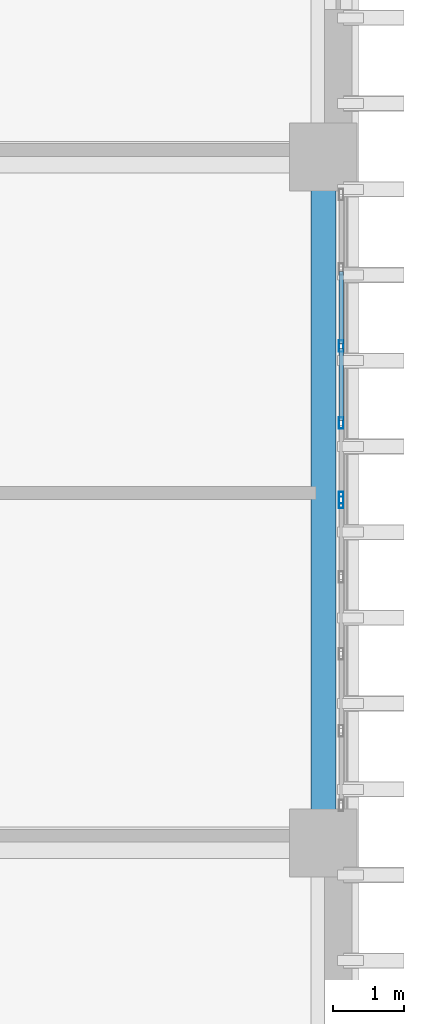
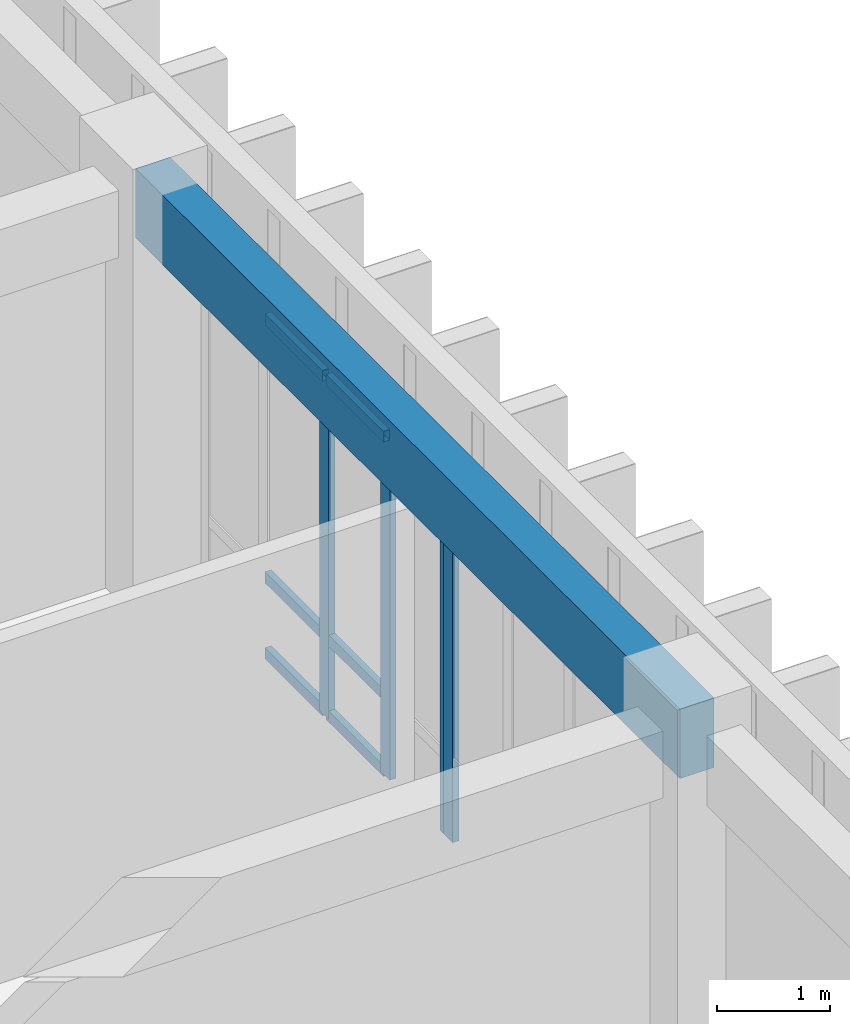
# One storey, part 72 of 133: 10 members, 1 beam, 2 elements without a shape of their own.
"""IFC4 building model written with IfcOpenShell, lengths in metres."""

from ifc_helpers import new_model, si_unit, direction, frame, origin, origin_2d, place, context, subcontext, project, spatial, rectangle, hollow_rectangle, extrude, material, layer, layer_set, material_profile, profile_set, type_object, element, aggregate, save


model = new_model("IFC4")

# Units and contexts
model_context = context("Model", 3, precision=1e-05, world=origin(), true_north=direction((0.0, 1.0)))
body_context = subcontext(model_context, "Body", "Model", "MODEL_VIEW")
ifc_project = project(units=[si_unit("LENGTHUNIT", "METRE"), si_unit("AREAUNIT", "SQUARE_METRE"), si_unit("VOLUMEUNIT", "CUBIC_METRE"), si_unit("PLANEANGLEUNIT", "RADIAN"), si_unit("MASSUNIT", "GRAM", prefix="KILO")], contexts=[model_context])

# Site, building, storey
site_placement = place(None, origin())
site = spatial("IfcSite", under=ifc_project, at=site_placement, CompositionType="ELEMENT")
building_placement = place(site_placement, origin())
building = spatial("IfcBuilding", under=site, at=building_placement, Name="Nakhvara Creek Congress Hotel", CompositionType="ELEMENT")
storey_placement = place(building_placement, frame((0.0, 0.0, 11.39990234375)))
storey = spatial("IfcBuildingStorey", under=building, at=storey_placement, Name="L02", CompositionType="ELEMENT", Elevation=11.39990234375)

# Beam
ifc_material_1 = material(Name="Concrete C40/50", Category="concrete")
ifc_material_profile_1 = material_profile(ifc_material_1, rectangle(XDim=0.35009765625, YDim=0.75, at=origin_2d()), Name="RC-SPANDREL 350x750", Category="LoadBearing")
ifc_profile_set_1 = profile_set([ifc_material_profile_1], Name="Concrete C40/50")
beam_type = type_object("IfcBeamType", Name="BM-SPN-350X750", PredefinedType="SPANDREL", material=ifc_profile_set_1)
beam_placement = place(storey_placement, frame((179.35009765625, 86.39990234375, 4.045166015625), z_axis=(0.0, 1.0, 0.0), x_axis=(-1.0, 0.0, 0.0)))
element("IfcBeam", 1, at=beam_placement, inside=storey, type_object=beam_type, Name="Beam SP1-L02-1660", PredefinedType="SPANDREL", context=body_context, shape_type="SweptSolid", body=[
    extrude(rectangle(XDim=0.35009765625, YDim=0.75, at=origin_2d()), origin(), (0.0, 0.0, 1.0), 9.60009765625),
])

# Curtain wall, member
ifc_material_2 = material(Name="Bronze-anodised aluminium AW-6063-T6 and double-silver low-E glass", Category="aluminium")
ifc_layer = layer(ifc_material_2, 0.199951171875)
ifc_layer_set = layer_set([ifc_layer], Name="Bronze-anodised aluminium AW-6063-T6 and double-silver low-E glass")
curtain_wall_type = type_object("IfcCurtainWallType", Name="CW-HTL-UNIT", PredefinedType="USERDEFINED", material=ifc_layer_set)
curtain_wall_1_placement = place(storey_placement, origin())
curtain_wall_1 = element("IfcCurtainWall", 2, at=curtain_wall_1_placement, inside=storey, type_object=curtain_wall_type, Name="Curtain Wall CW140", ObjectType="UNITISED", PredefinedType="USERDEFINED")
ifc_material_3 = material(Name="Bronze-anodised aluminium AW-6063-T6", Category="aluminium")
ifc_material_profile_2 = material_profile(ifc_material_3, hollow_rectangle(XDim=0.06494140625, YDim=0.159912109375, WallThickness=0.00390625, at=origin_2d()), Name="ALU-MULL 65x160x4", Category="LoadBearing")
ifc_profile_set_2 = profile_set([ifc_material_profile_2], Name="Bronze-anodised aluminium AW-6063-T6")
member_type_1 = type_object("IfcMemberType", Name="CW-MULL-160", PredefinedType="MULLION", material=ifc_profile_set_2)
member_1_placement = place(storey_placement, frame((179.60009765625, 91.16748046875, 0.0), z_axis=(0.0, 0.0, 1.0), x_axis=(1.0, 0.0, 0.0)))
member_1 = element("IfcMember", 3, at=member_1_placement, type_object=member_type_1, Name="CW140 mullion 1", PredefinedType="MULLION", context=body_context, shape_type="SweptSolid", body=[
    extrude(hollow_rectangle(XDim=0.06494140625, YDim=0.159912109375, WallThickness=0.00390625, at=origin_2d()), origin(), (0.0, 0.0, 1.0), 3.662109375),
])
aggregate(curtain_wall_1, [member_1])

# Curtain wall, members
curtain_wall_2_placement = place(storey_placement, origin())
curtain_wall_2 = element("IfcCurtainWall", 4, at=curtain_wall_2_placement, inside=storey, type_object=curtain_wall_type, Name="Curtain Wall CW141", ObjectType="UNITISED", PredefinedType="USERDEFINED")
member_2_placement = place(storey_placement, frame((179.60009765625, 93.35498046875, 0.0), z_axis=(0.0, 0.0, 1.0), x_axis=(1.0, 0.0, 0.0)))
member_2 = element("IfcMember", 5, at=member_2_placement, type_object=member_type_1, Name="CW141 mullion 3", PredefinedType="MULLION", context=body_context, shape_type="SweptSolid", body=[
    extrude(hollow_rectangle(XDim=0.06494140625, YDim=0.159912109375, WallThickness=0.00390625, at=origin_2d()), origin(), (0.0, 0.0, 1.0), 3.662109375),
])
member_3_placement = place(storey_placement, frame((179.60009765625, 92.277587890625, 0.0), z_axis=(0.0, 0.0, 1.0), x_axis=(1.0, 0.0, 0.0)))
member_3 = element("IfcMember", 6, at=member_3_placement, type_object=member_type_1, Name="CW141 mullion 4", PredefinedType="MULLION", context=body_context, shape_type="SweptSolid", body=[
    extrude(hollow_rectangle(XDim=0.06494140625, YDim=0.159912109375, WallThickness=0.00390625, at=origin_2d()), origin(), (0.0, 0.0, 1.0), 3.662109375),
])
member_4_placement = place(storey_placement, frame((179.60009765625, 91.232421875, 0.0), z_axis=(0.0, 0.0, 1.0), x_axis=(1.0, 0.0, 0.0)))
member_4 = element("IfcMember", 7, at=member_4_placement, type_object=member_type_1, Name="CW141 mullion 5", PredefinedType="MULLION", context=body_context, shape_type="SweptSolid", body=[
    extrude(hollow_rectangle(XDim=0.06494140625, YDim=0.159912109375, WallThickness=0.00390625, at=origin_2d()), origin(), (0.0, 0.0, 1.0), 3.662109375),
])
ifc_material_profile_3 = material_profile(ifc_material_3, hollow_rectangle(XDim=0.06494140625, YDim=0.1201171875, WallThickness=0.00390625, at=origin_2d()), Name="ALU-TRAN 65x120x4", Category="LoadBearing")
ifc_profile_set_3 = profile_set([ifc_material_profile_3], Name="Bronze-anodised aluminium AW-6063-T6")
member_type_2 = type_object("IfcMemberType", Name="CW-TRAN-120", PredefinedType="USERDEFINED", material=ifc_profile_set_3)
member_5_placement = place(storey_placement, frame((179.60009765625, 94.39990234375, 0.03271484375), z_axis=(0.0, -1.0, 0.0), x_axis=(1.0, 0.0, 0.0)))
member_5 = element("IfcMember", 8, at=member_5_placement, type_object=member_type_2, Name="CW141 transom 2.1", ObjectType="TRANSOM", PredefinedType="USERDEFINED", context=body_context, shape_type="SweptSolid", body=[
    extrude(hollow_rectangle(XDim=0.06494140625, YDim=0.1201171875, WallThickness=0.00390625, at=origin_2d()), origin(), (0.0, 0.0, 1.0), 1.012451171875),
])
member_6_placement = place(storey_placement, frame((179.60009765625, 94.39990234375, 0.85009765625), z_axis=(0.0, -1.0, 0.0), x_axis=(1.0, 0.0, 0.0)))
member_6 = element("IfcMember", 9, at=member_6_placement, type_object=member_type_2, Name="CW141 transom 2.2", ObjectType="TRANSOM", PredefinedType="USERDEFINED", context=body_context, shape_type="SweptSolid", body=[
    extrude(hollow_rectangle(XDim=0.06494140625, YDim=0.1201171875, WallThickness=0.00390625, at=origin_2d()), origin(), (0.0, 0.0, 1.0), 1.012451171875),
])
member_7_placement = place(storey_placement, frame((179.60009765625, 94.39990234375, 3.629638671875), z_axis=(0.0, -1.0, 0.0), x_axis=(1.0, 0.0, 0.0)))
member_7 = element("IfcMember", 10, at=member_7_placement, type_object=member_type_2, Name="CW141 transom 2.3", ObjectType="TRANSOM", PredefinedType="USERDEFINED", context=body_context, shape_type="SweptSolid", body=[
    extrude(hollow_rectangle(XDim=0.06494140625, YDim=0.1201171875, WallThickness=0.00390625, at=origin_2d()), origin(), (0.0, 0.0, 1.0), 1.012451171875),
])
member_8_placement = place(storey_placement, frame((179.60009765625, 93.322509765625, 0.03271484375), z_axis=(0.0, -1.0, 0.0), x_axis=(1.0, 0.0, 0.0)))
member_8 = element("IfcMember", 11, at=member_8_placement, type_object=member_type_2, Name="CW141 transom 3.1", ObjectType="TRANSOM", PredefinedType="USERDEFINED", context=body_context, shape_type="SweptSolid", body=[
    extrude(hollow_rectangle(XDim=0.06494140625, YDim=0.1201171875, WallThickness=0.00390625, at=origin_2d()), origin(), (0.0, 0.0, 1.0), 1.012451171875),
])
member_9_placement = place(storey_placement, frame((179.60009765625, 93.322509765625, 0.85009765625), z_axis=(0.0, -1.0, 0.0), x_axis=(1.0, 0.0, 0.0)))
member_9 = element("IfcMember", 12, at=member_9_placement, type_object=member_type_2, Name="CW141 transom 3.2", ObjectType="TRANSOM", PredefinedType="USERDEFINED", context=body_context, shape_type="SweptSolid", body=[
    extrude(hollow_rectangle(XDim=0.06494140625, YDim=0.1201171875, WallThickness=0.00390625, at=origin_2d()), origin(), (0.0, 0.0, 1.0), 1.012451171875),
])
member_10_placement = place(storey_placement, frame((179.60009765625, 93.322509765625, 3.629638671875), z_axis=(0.0, -1.0, 0.0), x_axis=(1.0, 0.0, 0.0)))
member_10 = element("IfcMember", 13, at=member_10_placement, type_object=member_type_2, Name="CW141 transom 3.3", ObjectType="TRANSOM", PredefinedType="USERDEFINED", context=body_context, shape_type="SweptSolid", body=[
    extrude(hollow_rectangle(XDim=0.06494140625, YDim=0.1201171875, WallThickness=0.00390625, at=origin_2d()), origin(), (0.0, 0.0, 1.0), 1.012451171875),
])
aggregate(curtain_wall_2, [member_2, member_3, member_4, member_5, member_6, member_7, member_8, member_9, member_10])

save(model, "model.ifc")
